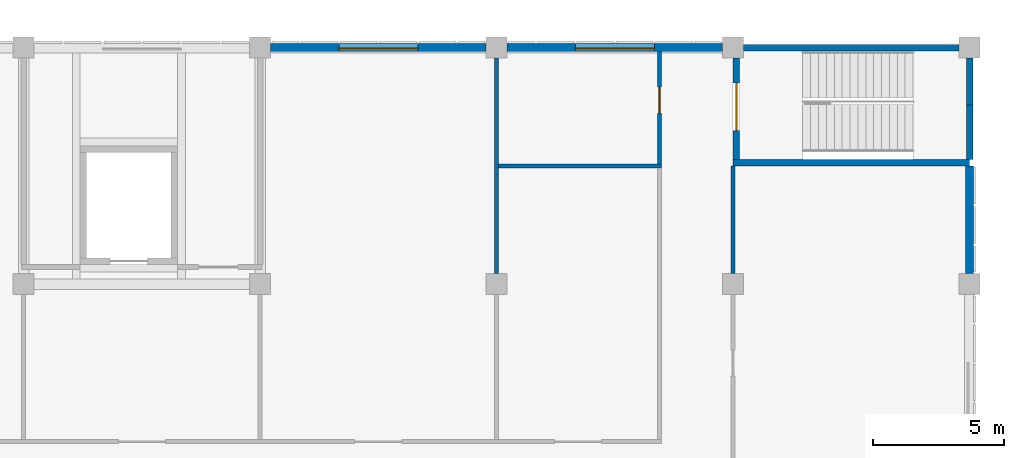
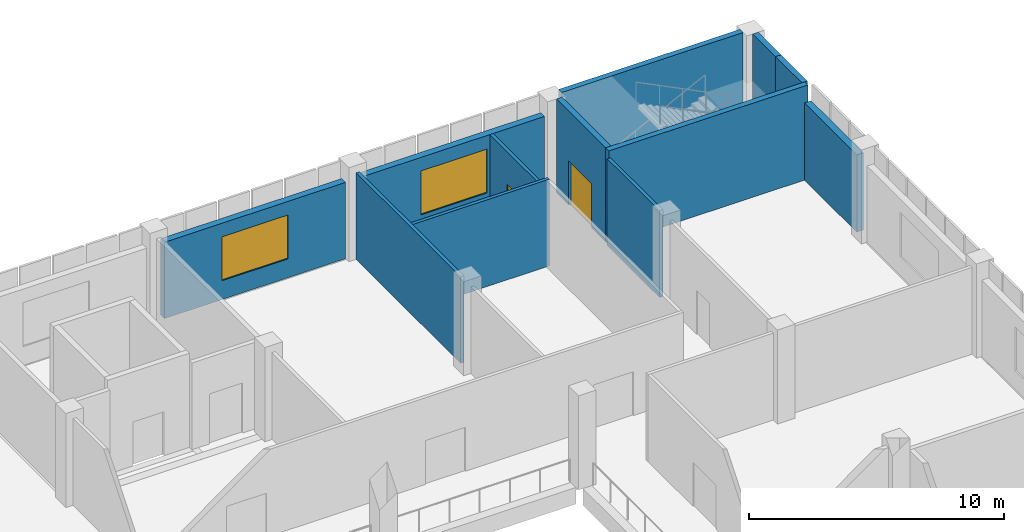
# One storey, part 68 of 88: 12 walls, 2 doors, 2 windows, 4 openings.
"""IFC4 building model written with IfcOpenShell, lengths in metres."""

from ifc_helpers import new_model, si_unit, direction, frame, frame_2d, origin, place, context, subcontext, project, spatial, rectangle, extrude, material, layer, layer_set, type_object, element, fill, save


model = new_model("IFC4")

# Units and contexts
model_context = context("Model", 3, precision=1e-05, world=origin(), true_north=direction((0.0, 1.0)))
body_context = subcontext(model_context, "Body", "Model", "MODEL_VIEW")
ifc_project = project(units=[si_unit("LENGTHUNIT", "METRE"), si_unit("AREAUNIT", "SQUARE_METRE"), si_unit("VOLUMEUNIT", "CUBIC_METRE"), si_unit("PLANEANGLEUNIT", "RADIAN"), si_unit("MASSUNIT", "GRAM", prefix="KILO")], contexts=[model_context])

# Site, building, storey
site_placement = place(None, origin())
site = spatial("IfcSite", under=ifc_project, at=site_placement, CompositionType="ELEMENT")
building_placement = place(site_placement, origin())
building = spatial("IfcBuilding", under=site, at=building_placement, Name="Guidao Yard Department Store", CompositionType="ELEMENT")
storey_placement = place(building_placement, frame((0.0, 0.0, 6.0)))
storey = spatial("IfcBuildingStorey", under=building, at=storey_placement, Name="L01", CompositionType="ELEMENT", Elevation=6.0)

# Wall, opening, window
ifc_material_1 = material(Name="Concrete C30", Category="concrete")
ifc_layer_1 = layer(ifc_material_1, 0.300048828125)
ifc_layer_set_1 = layer_set([ifc_layer_1], Name="Food hall wall 300 C30")
wall_type_1 = type_object("IfcWallType", Name="Food hall wall 300 C30", PredefinedType="SOLIDWALL", material=ifc_layer_set_1)
wall_1_placement = place(storey_placement, frame((144.39990234375, 108.0, 0.0), z_axis=(0.0, 0.0, 1.0), x_axis=(1.0, 0.0, 0.0)))
wall_1 = element("IfcWall", 1, at=wall_1_placement, inside=storey, type_object=wall_type_1, Name="Food hall wall", PredefinedType="SOLIDWALL", context=body_context, shape_type="SweptSolid", body=[
    extrude(rectangle(XDim=8.2001953125, YDim=0.300048828125, at=frame_2d((4.10009765625, 0.0))), origin(), (0.0, 0.0, 1.0), 3.64990234375),
])
opening_1_placement = place(wall_1_placement, frame((2.60009765625, 0.0, 0.89990234375)))
opening_1 = element("IfcOpeningElement", 2, at=opening_1_placement, cuts=wall_1, Name="Opening WN-L01-E30", PredefinedType="OPENING", context=body_context, shape_type="SweptSolid", body=[
    extrude(rectangle(XDim=3.0, YDim=2.10009765625, at=frame_2d((1.5, 1.050048828125))), frame((0.0, 0.159912109375, 0.0), z_axis=(0.0, -1.0, 0.0), x_axis=(1.0, 0.0, 0.0)), (0.0, 0.0, 1.0), 0.320068359375),
])
ifc_material_2 = material(Name="Laminated glass in aluminium frame", Category="aluminium")
window_type = type_object("IfcWindowType", Name="Punched window PW2 3000 x 2100 fixed", PartitioningType="SINGLE_PANEL", PredefinedType="WINDOW", material=ifc_material_2)
window_1_placement = place(opening_1_placement, origin())
window_1 = element("IfcWindow", 3, at=window_1_placement, inside=storey, type_object=window_type, Name="Punched window", OverallHeight=2.10009765625, OverallWidth=3.0, PartitioningType="SINGLE_PANEL", PredefinedType="WINDOW", context=body_context, shape_type="SweptSolid", body=[
    extrude(rectangle(XDim=3.0, YDim=2.10009765625, at=frame_2d((1.5, 1.050048828125))), frame((0.0, -0.030029296875, 0.0), z_axis=(0.0, -1.0, 0.0), x_axis=(1.0, 0.0, 0.0)), (0.0, 0.0, 1.0), 0.06005859375),
])
fill(opening_1, window_1)

wall_2_placement = place(storey_placement, frame((153.39990234375, 108.0, 0.0), z_axis=(0.0, 0.0, 1.0), x_axis=(1.0, 0.0, 0.0)))
wall_2 = element("IfcWall", 4, at=wall_2_placement, inside=storey, type_object=wall_type_1, Name="Food hall wall", PredefinedType="SOLIDWALL", context=body_context, shape_type="SweptSolid", body=[
    extrude(rectangle(XDim=8.2001953125, YDim=0.300048828125, at=frame_2d((4.10009765625, 0.0))), origin(), (0.0, 0.0, 1.0), 3.64990234375),
])
opening_2_placement = place(wall_2_placement, frame((2.60009765625, 0.0, 0.89990234375)))
opening_2 = element("IfcOpeningElement", 5, at=opening_2_placement, cuts=wall_2, Name="Opening WN-L01-E31", PredefinedType="OPENING", context=body_context, shape_type="SweptSolid", body=[
    extrude(rectangle(XDim=3.0, YDim=2.10009765625, at=frame_2d((1.5, 1.050048828125))), frame((0.0, 0.159912109375, 0.0), z_axis=(0.0, -1.0, 0.0), x_axis=(1.0, 0.0, 0.0)), (0.0, 0.0, 1.0), 0.320068359375),
])
window_2_placement = place(opening_2_placement, origin())
window_2 = element("IfcWindow", 6, at=window_2_placement, inside=storey, type_object=window_type, Name="Punched window", OverallHeight=2.10009765625, OverallWidth=3.0, PartitioningType="SINGLE_PANEL", PredefinedType="WINDOW", context=body_context, shape_type="SweptSolid", body=[
    extrude(rectangle(XDim=3.0, YDim=2.10009765625, at=frame_2d((1.5, 1.050048828125))), frame((0.0, -0.030029296875, 0.0), z_axis=(0.0, -1.0, 0.0), x_axis=(1.0, 0.0, 0.0)), (0.0, 0.0, 1.0), 0.06005859375),
])
fill(opening_2, window_2)

# Walls
wall_3_placement = place(storey_placement, frame((171.0, 103.5, 0.0), z_axis=(0.0, 0.0, 1.0), x_axis=(0.0, -1.0, 0.0)))
element("IfcWall", 7, at=wall_3_placement, inside=storey, type_object=wall_type_1, Name="Food hall wall", PredefinedType="SOLIDWALL", context=body_context, shape_type="SweptSolid", body=[
    extrude(rectangle(XDim=4.10009765625, YDim=0.300048828125, at=frame_2d((2.050048828125, 0.0))), origin(), (0.0, 0.0, 1.0), 3.699951171875),
])
ifc_material_3 = material(Name="Concrete block MU10", Category="concrete")
ifc_layer_2 = layer(ifc_material_3, 0.14990234375)
ifc_layer_set_2 = layer_set([ifc_layer_2], Name="Wall F2 150 mm blockwork EI 60")
wall_type_2 = type_object("IfcWallType", Name="Wall F2 150 mm blockwork EI 60", PredefinedType="PARTITIONING", material=ifc_layer_set_2)
wall_4_placement = place(storey_placement, frame((153.0, 99.39990234375, 0.0), z_axis=(0.0, 0.0, 1.0), x_axis=(0.0, 1.0, 0.0)))
element("IfcWall", 8, at=wall_4_placement, inside=storey, type_object=wall_type_2, Name="Wall W-L01-3029", PredefinedType="PARTITIONING", context=body_context, shape_type="SweptSolid", body=[
    extrude(rectangle(XDim=8.2001953125, YDim=0.14990234375, at=frame_2d((4.10009765625, 0.0))), origin(), (0.0, 0.0, 1.0), 4.14990234375),
])
wall_5_placement = place(storey_placement, frame((162.0, 99.39990234375, 0.0), z_axis=(0.0, 0.0, 1.0), x_axis=(0.0, 1.0, 0.0)))
element("IfcWall", 9, at=wall_5_placement, inside=storey, type_object=wall_type_2, Name="Wall W-L01-3030", PredefinedType="PARTITIONING", context=body_context, shape_type="SweptSolid", body=[
    extrude(rectangle(XDim=4.10009765625, YDim=0.14990234375, at=frame_2d((2.050048828125, 0.0))), origin(), (0.0, 0.0, 1.0), 4.14990234375),
])
wall_6_placement = place(storey_placement, frame((153.074951171875, 103.5, 0.0), z_axis=(0.0, 0.0, 1.0), x_axis=(1.0, 0.0, 0.0)))
element("IfcWall", 10, at=wall_6_placement, inside=storey, type_object=wall_type_2, Name="Wall W-L01-3035", PredefinedType="PARTITIONING", context=body_context, shape_type="SweptSolid", body=[
    extrude(rectangle(XDim=6.199951171875, YDim=0.14990234375, at=frame_2d((3.10009765625, 0.0))), origin(), (0.0, 0.0, 1.0), 4.14990234375),
])

# Wall, opening, door
wall_7_placement = place(storey_placement, frame((159.199951171875, 103.574951171875, 0.0), z_axis=(0.0, 0.0, 1.0), x_axis=(0.0, 1.0, 0.0)))
wall_7 = element("IfcWall", 11, at=wall_7_placement, inside=storey, type_object=wall_type_2, Name="Wall W-L01-3036", PredefinedType="PARTITIONING", context=body_context, shape_type="SweptSolid", body=[
    extrude(rectangle(XDim=4.275146484375, YDim=0.14990234375, at=frame_2d((2.1376953125, 0.0))), origin(), (0.0, 0.0, 1.0), 3.64990234375),
])
opening_3_placement = place(wall_7_placement, frame((1.925048828125, 0.0, 0.0)))
opening_3 = element("IfcOpeningElement", 12, at=opening_3_placement, cuts=wall_7, Name="Opening L01-319", PredefinedType="OPENING", context=body_context, shape_type="SweptSolid", body=[
    extrude(rectangle(XDim=1.0, YDim=2.10009765625, at=frame_2d((0.5, 1.050048828125))), frame((0.0, 0.0849609375, 0.0), z_axis=(0.0, -1.0, 0.0), x_axis=(1.0, 0.0, 0.0)), (0.0, 0.0, 1.0), 0.169921875),
])
ifc_material_4 = material(Name="Timber door leaf", Category="wood")
door_type_1 = type_object("IfcDoorType", Name="Door FN1 1000 x 2100", OperationType="SINGLE_SWING_LEFT", PredefinedType="DOOR", material=ifc_material_4)
door_1_placement = place(opening_3_placement, origin())
door_1 = element("IfcDoor", 13, at=door_1_placement, inside=storey, type_object=door_type_1, Name="Door L01-319", OperationType="SINGLE_SWING_RIGHT", OverallHeight=2.10009765625, OverallWidth=1.0, PredefinedType="DOOR", context=body_context, shape_type="SweptSolid", body=[
    extrude(rectangle(XDim=1.0, YDim=2.10009765625, at=frame_2d((0.5, 1.050048828125))), frame((0.0, 0.02490234375, 0.0), z_axis=(0.0, -1.0, 0.0), x_axis=(1.0, 0.0, 0.0)), (0.0, 0.0, 1.0), 0.050048828125),
])
fill(opening_3, door_1)

# Walls
ifc_material_5 = material(Name="Concrete C40", Category="concrete")
ifc_layer_3 = layer(ifc_material_5, 0.25)
ifc_layer_set_3 = layer_set([ifc_layer_3], Name="Wall RC 250 C40 stair and shaft")
wall_type_3 = type_object("IfcWallType", Name="Wall RC 250 C40 stair and shaft", PredefinedType="SHEAR", material=ifc_layer_set_3)
wall_8_placement = place(storey_placement, frame((162.0, 103.625, 0.0), z_axis=(0.0, 0.0, 1.0), x_axis=(1.0, 0.0, 0.0)))
element("IfcWall", 14, at=wall_8_placement, inside=storey, type_object=wall_type_3, Name="Stair wall SF2", PredefinedType="SHEAR", context=body_context, shape_type="SweptSolid", body=[
    extrude(rectangle(XDim=9.0, YDim=0.25, at=frame_2d((4.5, 0.0))), origin(), (0.0, 0.0, 1.0), 4.5),
])
wall_9_placement = place(storey_placement, frame((162.39990234375, 108.0, 0.0), z_axis=(0.0, 0.0, 1.0), x_axis=(1.0, 0.0, 0.0)))
element("IfcWall", 15, at=wall_9_placement, inside=storey, type_object=wall_type_3, Name="Stair wall SF2", PredefinedType="SHEAR", context=body_context, shape_type="SweptSolid", body=[
    extrude(rectangle(XDim=8.2001953125, YDim=0.25, at=frame_2d((4.10009765625, 0.0))), origin(), (0.0, 0.0, 1.0), 4.5),
])

# Wall, opening, door
wall_10_placement = place(storey_placement, frame((162.125, 103.75, 0.0), z_axis=(0.0, 0.0, 1.0), x_axis=(0.0, 1.0, 0.0)))
wall_10 = element("IfcWall", 16, at=wall_10_placement, inside=storey, type_object=wall_type_3, Name="Stair wall SF2", PredefinedType="SHEAR", context=body_context, shape_type="SweptSolid", body=[
    extrude(rectangle(XDim=3.85009765625, YDim=0.25, at=frame_2d((1.925048828125, 0.0))), origin(), (0.0, 0.0, 1.0), 4.5),
])
opening_4_placement = place(wall_10_placement, frame((2.900146484375, 0.0, 0.0), z_axis=(0.0, 0.0, 1.0), x_axis=(-1.0, 0.0, 0.0)))
opening_4 = element("IfcOpeningElement", 17, at=opening_4_placement, cuts=wall_10, Name="Opening L01-809", PredefinedType="OPENING", context=body_context, shape_type="SweptSolid", body=[
    extrude(rectangle(XDim=1.800048828125, YDim=2.10009765625, at=frame_2d((0.89990234375, 1.050048828125))), frame((0.0, 0.135009765625, 0.0), z_axis=(0.0, -1.0, 0.0), x_axis=(1.0, 0.0, 0.0)), (0.0, 0.0, 1.0), 0.27001953125),
])
ifc_material_6 = material(Name="Steel Q235", Category="steel")
door_type_2 = type_object("IfcDoorType", Name="Door fire-resisting 1800 x 2100 FD60", OperationType="DOUBLE_DOOR_SINGLE_SWING", PredefinedType="DOOR", material=ifc_material_6)
door_2_placement = place(opening_4_placement, origin())
door_2 = element("IfcDoor", 18, at=door_2_placement, inside=storey, type_object=door_type_2, Name="Stair F2 door L01", OperationType="DOUBLE_DOOR_SINGLE_SWING", OverallHeight=2.10009765625, OverallWidth=1.800048828125, PredefinedType="DOOR", context=body_context, shape_type="SweptSolid", body=[
    extrude(rectangle(XDim=1.800048828125, YDim=2.10009765625, at=frame_2d((0.89990234375, 1.050048828125))), frame((0.0, 0.02490234375, 0.0), z_axis=(0.0, -1.0, 0.0), x_axis=(1.0, 0.0, 0.0)), (0.0, 0.0, 1.0), 0.050048828125),
])
fill(opening_4, door_2)

# Walls
wall_11_placement = place(storey_placement, frame((171.0, 103.75, 0.0), z_axis=(0.0, 0.0, 1.0), x_axis=(0.0, 1.0, 0.0)))
element("IfcWall", 19, at=wall_11_placement, inside=storey, type_object=wall_type_3, Name="Stair wall SF2", PredefinedType="SHEAR", context=body_context, shape_type="SweptSolid", body=[
    extrude(rectangle(XDim=2.06201171875, YDim=0.25, at=frame_2d((1.031005859375, 0.0))), origin(), (0.0, 0.0, 1.0), 4.5),
])
wall_12_placement = place(storey_placement, frame((171.0, 105.81201171875, 0.0), z_axis=(0.0, 0.0, 1.0), x_axis=(0.0, 1.0, 0.0)))
element("IfcWall", 20, at=wall_12_placement, inside=storey, type_object=wall_type_3, Name="Stair wall SF2", PredefinedType="SHEAR", context=body_context, shape_type="SweptSolid", body=[
    extrude(rectangle(XDim=1.7880859375, YDim=0.25, at=frame_2d((0.89404296875, 0.0))), origin(), (0.0, 0.0, 1.0), 4.5),
])

save(model, "model.ifc")
